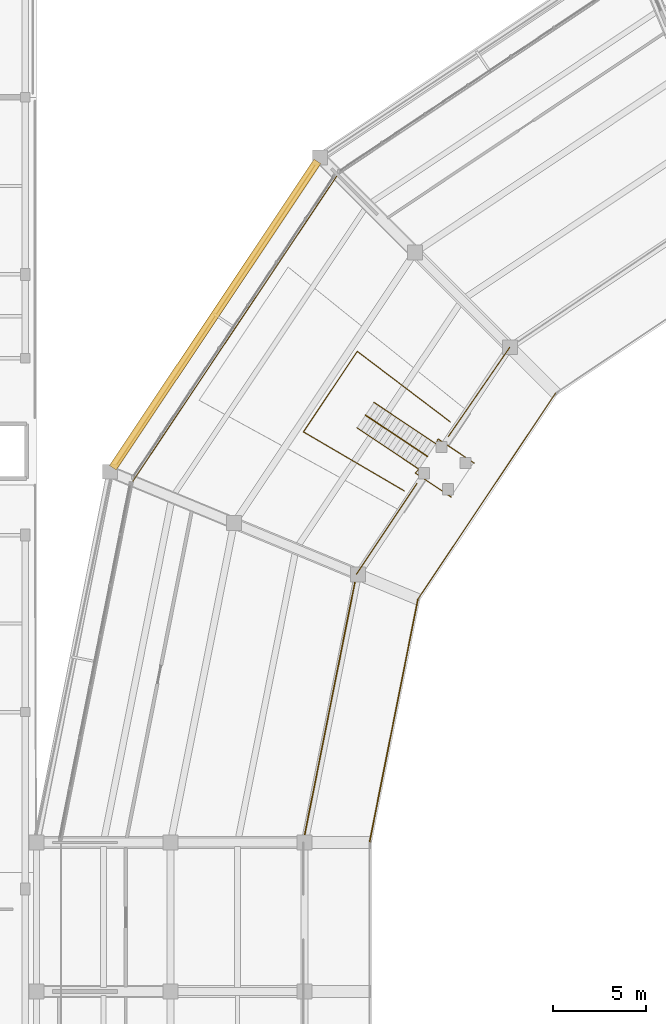
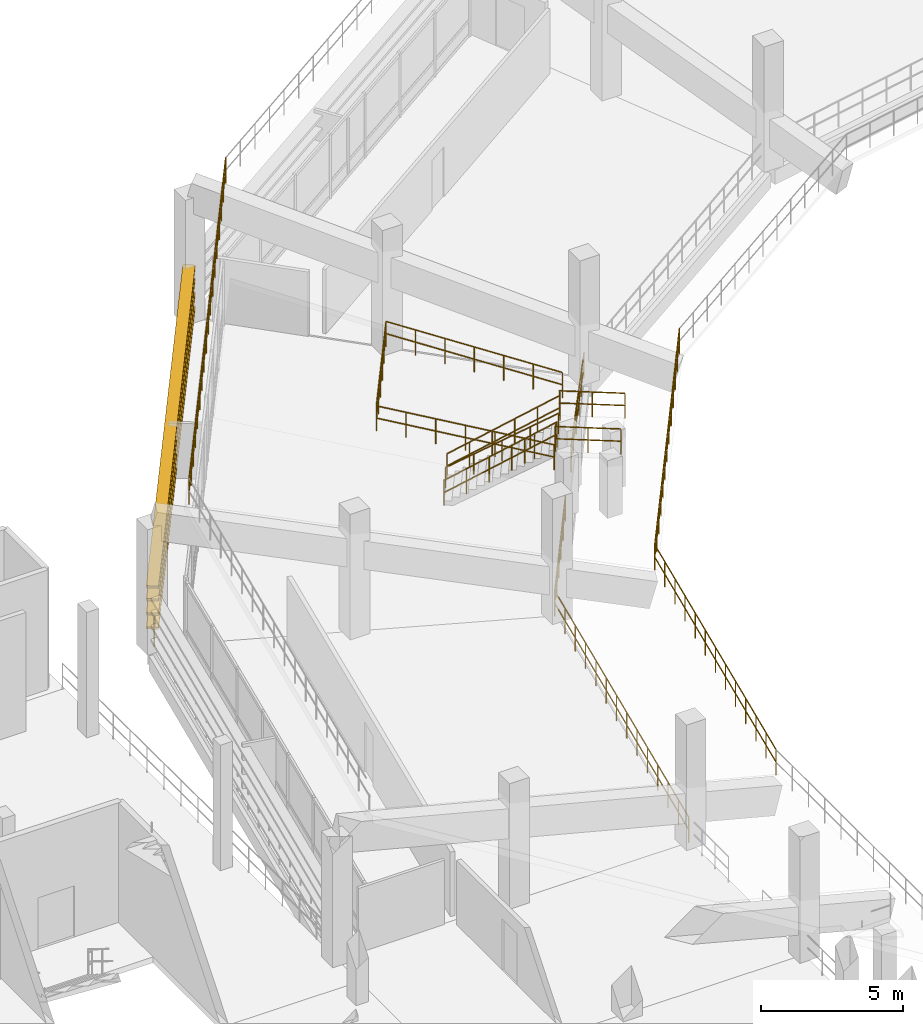
# One storey, part 86 of 96: 11 railings, 4 shading devices.
"""IFC4 building model written with IfcOpenShell, lengths in metres."""

from ifc_helpers import new_model, si_unit, direction, frame, origin, origin_2d, place, context, subcontext, project, spatial, rectangle, circle, extrude, material, layer, layer_set, type_object, element, save


model = new_model("IFC4")

# Units and contexts
model_context = context("Model", 3, precision=1e-05, world=origin(), true_north=direction((0.0, 1.0)))
body_context = subcontext(model_context, "Body", "Model", "MODEL_VIEW")
ifc_project = project(units=[si_unit("LENGTHUNIT", "METRE"), si_unit("AREAUNIT", "SQUARE_METRE"), si_unit("VOLUMEUNIT", "CUBIC_METRE"), si_unit("PLANEANGLEUNIT", "RADIAN"), si_unit("MASSUNIT", "GRAM", prefix="KILO")], contexts=[model_context])

# Site, building, storey
site_placement = place(None, origin())
site = spatial("IfcSite", under=ifc_project, at=site_placement, CompositionType="ELEMENT")
building_placement = place(site_placement, origin())
building = spatial("IfcBuilding", under=site, at=building_placement, Name="Candeia Ridge Stadium", CompositionType="ELEMENT")
storey_placement = place(building_placement, frame((0.0, 0.0, 21.60009765625)))
storey = spatial("IfcBuildingStorey", under=building, at=storey_placement, Name="L04", CompositionType="ELEMENT", Elevation=21.60009765625)

# Railings
ifc_material_1 = material(Name="Galvanized Powder-Coated Steel", Category="steel")
ifc_layer_1 = layer(ifc_material_1, 0.074951171875, Name="Galvanized Powder-Coated Steel", Category="steel")
ifc_layer_set_1 = layer_set([ifc_layer_1], Name="Galvanized Powder-Coated Steel")
railing_type_1 = type_object("IfcRailingType", Name="Spectator Bowl Front Guardrail 1120", PredefinedType="GUARDRAIL", material=ifc_layer_set_1)
railing_1_placement = place(storey_placement, frame((46.87353515625, 119.12646484375, 1.64990234375)))
element("IfcRailing", 1, at=railing_1_placement, inside=storey, type_object=railing_type_1, Name="Stand T3 front safety guardrail bay 10", PredefinedType="GUARDRAIL", context=body_context, shape_type="SweptSolid", body=[
    extrude(circle(Radius=0.02392578125, at=origin_2d()), frame((0.0, 0.0, 1.09619140625), z_axis=(-0.555567450865, -0.831471471272, 0.0), x_axis=(0.831471471272, -0.555567450865, 0.0)), (0.0, 0.0, 1.0), 13.31298828125),
    extrude(circle(Radius=0.02392578125, at=origin_2d()), frame((0.0, 0.0, 0.56005859375), z_axis=(-0.555567450865, -0.831471471272, 0.0), x_axis=(0.831471471272, -0.555567450865, 0.0)), (0.0, 0.0, 1.0), 13.31298828125),
    extrude(circle(Radius=0.02099609375, at=origin_2d()), origin(), (0.0, 0.0, 1.0), 1.072021484375),
    extrude(circle(Radius=0.02099609375, at=origin_2d()), frame((-0.616455078125, -0.92236328125, 0.0)), (0.0, 0.0, 1.0), 1.072021484375),
    extrude(circle(Radius=0.02099609375, at=origin_2d()), frame((-1.232666015625, -1.844970703125, 0.0)), (0.0, 0.0, 1.0), 1.072021484375),
    extrude(circle(Radius=0.02099609375, at=origin_2d()), frame((-1.84912109375, -2.767333984375, 0.0)), (0.0, 0.0, 1.0), 1.072021484375),
    extrude(circle(Radius=0.02099609375, at=origin_2d()), frame((-2.46533203125, -3.689697265625, 0.0)), (0.0, 0.0, 1.0), 1.072021484375),
    extrude(circle(Radius=0.02099609375, at=origin_2d()), frame((-3.081787109375, -4.6123046875, 0.0)), (0.0, 0.0, 1.0), 1.072021484375),
    extrude(circle(Radius=0.02099609375, at=origin_2d()), frame((-3.6982421875, -5.53466796875, 0.0)), (0.0, 0.0, 1.0), 1.072021484375),
    extrude(circle(Radius=0.02099609375, at=origin_2d()), frame((-4.314453125, -6.45703125, 0.0)), (0.0, 0.0, 1.0), 1.072021484375),
    extrude(circle(Radius=0.02099609375, at=origin_2d()), frame((-4.930908203125, -7.379638671875, 0.0)), (0.0, 0.0, 1.0), 1.072021484375),
    extrude(circle(Radius=0.02099609375, at=origin_2d()), frame((-5.547119140625, -8.302001953125, 0.0)), (0.0, 0.0, 1.0), 1.072021484375),
    extrude(circle(Radius=0.02099609375, at=origin_2d()), frame((-6.16357421875, -9.224365234375, 0.0)), (0.0, 0.0, 1.0), 1.072021484375),
    extrude(circle(Radius=0.02099609375, at=origin_2d()), frame((-6.77978515625, -10.14697265625, 0.0)), (0.0, 0.0, 1.0), 1.072021484375),
    extrude(circle(Radius=0.02099609375, at=origin_2d()), frame((-7.396240234375, -11.0693359375, 0.0)), (0.0, 0.0, 1.0), 1.072021484375),
])
railing_2_placement = place(storey_placement, frame((35.163818359375, 130.836181640625, 6.0)))
element("IfcRailing", 2, at=railing_2_placement, inside=storey, type_object=railing_type_1, Name="Stand T3 rear safety guardrail bay 10", PredefinedType="GUARDRAIL", context=body_context, shape_type="SweptSolid", body=[
    extrude(circle(Radius=0.02392578125, at=origin_2d()), frame((0.0, 0.0, 1.09619140625), z_axis=(-0.555568879725, -0.831470516544, 0.0), x_axis=(0.831470516544, -0.555568879725, 0.0)), (0.0, 0.0, 1.0), 19.7744140625),
    extrude(circle(Radius=0.02392578125, at=origin_2d()), frame((0.0, 0.0, 0.56005859375), z_axis=(-0.555568879725, -0.831470516544, 0.0), x_axis=(0.831470516544, -0.555568879725, 0.0)), (0.0, 0.0, 1.0), 19.7744140625),
    extrude(circle(Radius=0.02099609375, at=origin_2d()), origin(), (0.0, 0.0, 1.0), 1.072021484375),
    extrude(circle(Radius=0.02099609375, at=origin_2d()), frame((-0.646240234375, -0.96728515625, 0.0)), (0.0, 0.0, 1.0), 1.072021484375),
    extrude(circle(Radius=0.02099609375, at=origin_2d()), frame((-1.29248046875, -1.934326171875, 0.0)), (0.0, 0.0, 1.0), 1.072021484375),
    extrude(circle(Radius=0.02099609375, at=origin_2d()), frame((-1.938720703125, -2.901611328125, 0.0)), (0.0, 0.0, 1.0), 1.072021484375),
    extrude(circle(Radius=0.02099609375, at=origin_2d()), frame((-2.5849609375, -3.86865234375, 0.0)), (0.0, 0.0, 1.0), 1.072021484375),
    extrude(circle(Radius=0.02099609375, at=origin_2d()), frame((-3.231201171875, -4.8359375, 0.0)), (0.0, 0.0, 1.0), 1.072021484375),
    extrude(circle(Radius=0.02099609375, at=origin_2d()), frame((-3.87744140625, -5.802978515625, 0.0)), (0.0, 0.0, 1.0), 1.072021484375),
    extrude(circle(Radius=0.02099609375, at=origin_2d()), frame((-4.523681640625, -6.770263671875, 0.0)), (0.0, 0.0, 1.0), 1.072021484375),
    extrude(circle(Radius=0.02099609375, at=origin_2d()), frame((-5.169921875, -7.7373046875, 0.0)), (0.0, 0.0, 1.0), 1.072021484375),
    extrude(circle(Radius=0.02099609375, at=origin_2d()), frame((-5.816162109375, -8.70458984375, 0.0)), (0.0, 0.0, 1.0), 1.072021484375),
    extrude(circle(Radius=0.02099609375, at=origin_2d()), frame((-6.46240234375, -9.671630859375, 0.0)), (0.0, 0.0, 1.0), 1.072021484375),
    extrude(circle(Radius=0.02099609375, at=origin_2d()), frame((-7.108642578125, -10.638916015625, 0.0)), (0.0, 0.0, 1.0), 1.072021484375),
    extrude(circle(Radius=0.02099609375, at=origin_2d()), frame((-7.7548828125, -11.60595703125, 0.0)), (0.0, 0.0, 1.0), 1.072021484375),
    extrude(circle(Radius=0.02099609375, at=origin_2d()), frame((-8.401123046875, -12.5732421875, 0.0)), (0.0, 0.0, 1.0), 1.072021484375),
    extrude(circle(Radius=0.02099609375, at=origin_2d()), frame((-9.04736328125, -13.540283203125, 0.0)), (0.0, 0.0, 1.0), 1.072021484375),
    extrude(circle(Radius=0.02099609375, at=origin_2d()), frame((-9.693603515625, -14.507568359375, 0.0)), (0.0, 0.0, 1.0), 1.072021484375),
    extrude(circle(Radius=0.02099609375, at=origin_2d()), frame((-10.33984375, -15.474609375, 0.0)), (0.0, 0.0, 1.0), 1.072021484375),
    extrude(circle(Radius=0.02099609375, at=origin_2d()), frame((-10.986083984375, -16.44189453125, 0.0)), (0.0, 0.0, 1.0), 1.072021484375),
])
railing_3_placement = place(storey_placement, frame((39.477294921875, 108.05712890625, 1.64990234375)))
element("IfcRailing", 3, at=railing_3_placement, inside=storey, type_object=railing_type_1, Name="Stand T3 front safety guardrail bay 11", PredefinedType="GUARDRAIL", context=body_context, shape_type="SweptSolid", body=[
    extrude(circle(Radius=0.02392578125, at=origin_2d()), frame((0.0, 0.0, 1.09619140625), z_axis=(-0.195103883511, -0.980782582757, 0.0), x_axis=(0.980782582757, -0.195103883511, 0.0)), (0.0, 0.0, 1.0), 13.31298828125),
    extrude(circle(Radius=0.02392578125, at=origin_2d()), frame((0.0, 0.0, 0.56005859375), z_axis=(-0.195103883511, -0.980782582757, 0.0), x_axis=(0.980782582757, -0.195103883511, 0.0)), (0.0, 0.0, 1.0), 13.31298828125),
    extrude(circle(Radius=0.02099609375, at=origin_2d()), origin(), (0.0, 0.0, 1.0), 1.072021484375),
    extrude(circle(Radius=0.02099609375, at=origin_2d()), frame((-0.216552734375, -1.088134765625, 0.0)), (0.0, 0.0, 1.0), 1.072021484375),
    extrude(circle(Radius=0.02099609375, at=origin_2d()), frame((-0.432861328125, -2.17626953125, 0.0)), (0.0, 0.0, 1.0), 1.072021484375),
    extrude(circle(Radius=0.02099609375, at=origin_2d()), frame((-0.6494140625, -3.26416015625, 0.0)), (0.0, 0.0, 1.0), 1.072021484375),
    extrude(circle(Radius=0.02099609375, at=origin_2d()), frame((-0.86572265625, -4.352294921875, 0.0)), (0.0, 0.0, 1.0), 1.072021484375),
    extrude(circle(Radius=0.02099609375, at=origin_2d()), frame((-1.082275390625, -5.4404296875, 0.0)), (0.0, 0.0, 1.0), 1.072021484375),
    extrude(circle(Radius=0.02099609375, at=origin_2d()), frame((-1.298828125, -6.528564453125, 0.0)), (0.0, 0.0, 1.0), 1.072021484375),
    extrude(circle(Radius=0.02099609375, at=origin_2d()), frame((-1.51513671875, -7.61669921875, 0.0)), (0.0, 0.0, 1.0), 1.072021484375),
    extrude(circle(Radius=0.02099609375, at=origin_2d()), frame((-1.731689453125, -8.704833984375, 0.0)), (0.0, 0.0, 1.0), 1.072021484375),
    extrude(circle(Radius=0.02099609375, at=origin_2d()), frame((-1.947998046875, -9.79296875, 0.0)), (0.0, 0.0, 1.0), 1.072021484375),
    extrude(circle(Radius=0.02099609375, at=origin_2d()), frame((-2.16455078125, -10.880859375, 0.0)), (0.0, 0.0, 1.0), 1.072021484375),
    extrude(circle(Radius=0.02099609375, at=origin_2d()), frame((-2.380859375, -11.968994140625, 0.0)), (0.0, 0.0, 1.0), 1.072021484375),
    extrude(circle(Radius=0.02099609375, at=origin_2d()), frame((-2.597412109375, -13.05712890625, 0.0)), (0.0, 0.0, 1.0), 1.072021484375),
])
railing_4_placement = place(storey_placement, frame((23.02490234375, 114.85498046875, 0.0)))
element("IfcRailing", 4, at=railing_4_placement, inside=storey, type_object=railing_type_1, Name="Deck edge safety guardrail GR-DE-L04-0190", PredefinedType="GUARDRAIL", context=body_context, shape_type="SweptSolid", body=[
    extrude(circle(Radius=0.02392578125, at=origin_2d()), frame((0.0, 0.0, 1.09619140625), z_axis=(0.552282039589, 0.83365733293, 0.0), x_axis=(-0.83365733293, 0.552282039589, 0.0)), (0.0, 0.0, 1.0), 20.28955078125),
    extrude(circle(Radius=0.02392578125, at=origin_2d()), frame((0.0, 0.0, 0.56005859375), z_axis=(0.552282039589, 0.83365733293, 0.0), x_axis=(-0.83365733293, 0.552282039589, 0.0)), (0.0, 0.0, 1.0), 20.28955078125),
    extrude(circle(Radius=0.02099609375, at=origin_2d()), origin(), (0.0, 0.0, 1.0), 1.072021484375),
    extrude(circle(Radius=0.02099609375, at=origin_2d()), frame((0.6591796875, 0.994873046875, 0.0)), (0.0, 0.0, 1.0), 1.072021484375),
    extrude(circle(Radius=0.02099609375, at=origin_2d()), frame((1.318359375, 1.989990234375, 0.0)), (0.0, 0.0, 1.0), 1.072021484375),
    extrude(circle(Radius=0.02099609375, at=origin_2d()), frame((1.9775390625, 2.98486328125, 0.0)), (0.0, 0.0, 1.0), 1.072021484375),
    extrude(circle(Radius=0.02099609375, at=origin_2d()), frame((2.63671875, 3.97998046875, 0.0)), (0.0, 0.0, 1.0), 1.072021484375),
    extrude(circle(Radius=0.02099609375, at=origin_2d()), frame((3.295654296875, 4.974853515625, 0.0)), (0.0, 0.0, 1.0), 1.072021484375),
    extrude(circle(Radius=0.02099609375, at=origin_2d()), frame((3.954833984375, 5.9697265625, 0.0)), (0.0, 0.0, 1.0), 1.072021484375),
    extrude(circle(Radius=0.02099609375, at=origin_2d()), frame((4.614013671875, 6.96484375, 0.0)), (0.0, 0.0, 1.0), 1.072021484375),
    extrude(circle(Radius=0.02099609375, at=origin_2d()), frame((5.273193359375, 7.959716796875, 0.0)), (0.0, 0.0, 1.0), 1.072021484375),
    extrude(circle(Radius=0.02099609375, at=origin_2d()), frame((5.932373046875, 8.954833984375, 0.0)), (0.0, 0.0, 1.0), 1.072021484375),
    extrude(circle(Radius=0.02099609375, at=origin_2d()), frame((6.591552734375, 9.94970703125, 0.0)), (0.0, 0.0, 1.0), 1.072021484375),
    extrude(circle(Radius=0.02099609375, at=origin_2d()), frame((7.250732421875, 10.94482421875, 0.0)), (0.0, 0.0, 1.0), 1.072021484375),
    extrude(circle(Radius=0.02099609375, at=origin_2d()), frame((7.909912109375, 11.939697265625, 0.0)), (0.0, 0.0, 1.0), 1.072021484375),
    extrude(circle(Radius=0.02099609375, at=origin_2d()), frame((8.56884765625, 12.9345703125, 0.0)), (0.0, 0.0, 1.0), 1.072021484375),
    extrude(circle(Radius=0.02099609375, at=origin_2d()), frame((9.22802734375, 13.9296875, 0.0)), (0.0, 0.0, 1.0), 1.072021484375),
    extrude(circle(Radius=0.02099609375, at=origin_2d()), frame((9.88720703125, 14.924560546875, 0.0)), (0.0, 0.0, 1.0), 1.072021484375),
    extrude(circle(Radius=0.02099609375, at=origin_2d()), frame((10.54638671875, 15.919677734375, 0.0)), (0.0, 0.0, 1.0), 1.072021484375),
    extrude(circle(Radius=0.02099609375, at=origin_2d()), frame((11.20556640625, 16.91455078125, 0.0)), (0.0, 0.0, 1.0), 1.072021484375),
])
railing_5_placement = place(storey_placement, frame((44.412841796875, 121.587158203125, 0.0)))
element("IfcRailing", 5, at=railing_5_placement, inside=storey, type_object=railing_type_1, Name="Deck edge safety guardrail GR-DE-L04-0237", PredefinedType="GUARDRAIL", context=body_context, shape_type="SweptSolid", body=[
    extrude(circle(Radius=0.02392578125, at=origin_2d()), frame((0.0, 0.0, 1.09619140625), z_axis=(-0.566961668899, -0.823744175093, 0.0), x_axis=(0.823744175093, -0.566961668899, 0.0)), (0.0, 0.0, 1.0), 5.81591796875),
    extrude(circle(Radius=0.02392578125, at=origin_2d()), frame((0.0, 0.0, 0.56005859375), z_axis=(-0.566961668899, -0.823744175093, 0.0), x_axis=(0.823744175093, -0.566961668899, 0.0)), (0.0, 0.0, 1.0), 5.81591796875),
    extrude(circle(Radius=0.02099609375, at=origin_2d()), origin(), (0.0, 0.0, 1.0), 1.072021484375),
    extrude(circle(Radius=0.02099609375, at=origin_2d()), frame((-0.659423828125, -0.958251953125, 0.0)), (0.0, 0.0, 1.0), 1.072021484375),
    extrude(circle(Radius=0.02099609375, at=origin_2d()), frame((-1.31884765625, -1.916259765625, 0.0)), (0.0, 0.0, 1.0), 1.072021484375),
    extrude(circle(Radius=0.02099609375, at=origin_2d()), frame((-1.978515625, -2.87451171875, 0.0)), (0.0, 0.0, 1.0), 1.072021484375),
    extrude(circle(Radius=0.02099609375, at=origin_2d()), frame((-2.637939453125, -3.83251953125, 0.0)), (0.0, 0.0, 1.0), 1.072021484375),
    extrude(circle(Radius=0.02099609375, at=origin_2d()), frame((-3.29736328125, -4.790771484375, 0.0)), (0.0, 0.0, 1.0), 1.072021484375),
])
railing_6_placement = place(storey_placement, frame((39.426513671875, 114.268798828125, 0.0)))
element("IfcRailing", 6, at=railing_6_placement, inside=storey, type_object=railing_type_1, Name="Deck edge safety guardrail GR-DE-L04-0238", PredefinedType="GUARDRAIL", context=body_context, shape_type="SweptSolid", body=[
    extrude(circle(Radius=0.02392578125, at=origin_2d()), frame((0.0, 0.0, 1.09619140625), z_axis=(-0.554709833315, -0.832043869531, 0.0), x_axis=(0.832043869531, -0.554709833315, 0.0)), (0.0, 0.0, 1.0), 5.84619140625),
    extrude(circle(Radius=0.02392578125, at=origin_2d()), frame((0.0, 0.0, 0.56005859375), z_axis=(-0.554709833315, -0.832043869531, 0.0), x_axis=(0.832043869531, -0.554709833315, 0.0)), (0.0, 0.0, 1.0), 5.84619140625),
    extrude(circle(Radius=0.02099609375, at=origin_2d()), origin(), (0.0, 0.0, 1.0), 1.072021484375),
    extrude(circle(Radius=0.02099609375, at=origin_2d()), frame((-0.648681640625, -0.972900390625, 0.0)), (0.0, 0.0, 1.0), 1.072021484375),
    extrude(circle(Radius=0.02099609375, at=origin_2d()), frame((-1.297119140625, -1.94580078125, 0.0)), (0.0, 0.0, 1.0), 1.072021484375),
    extrude(circle(Radius=0.02099609375, at=origin_2d()), frame((-1.94580078125, -2.91845703125, 0.0)), (0.0, 0.0, 1.0), 1.072021484375),
    extrude(circle(Radius=0.02099609375, at=origin_2d()), frame((-2.59423828125, -3.891357421875, 0.0)), (0.0, 0.0, 1.0), 1.072021484375),
    extrude(circle(Radius=0.02099609375, at=origin_2d()), frame((-3.242919921875, -4.8642578125, 0.0)), (0.0, 0.0, 1.0), 1.072021484375),
])
railing_7_placement = place(storey_placement, frame((36.18359375, 109.404541015625, 0.0)))
element("IfcRailing", 7, at=railing_7_placement, inside=storey, type_object=railing_type_1, Name="Deck edge safety guardrail GR-DE-L04-0239", PredefinedType="GUARDRAIL", context=body_context, shape_type="SweptSolid", body=[
    extrude(circle(Radius=0.02392578125, at=origin_2d()), frame((0.0, 0.0, 1.09619140625), z_axis=(-0.194977927437, -0.98080763038, 0.0), x_axis=(0.98080763038, -0.194977927437, 0.0)), (0.0, 0.0, 1.0), 14.6865234375),
    extrude(circle(Radius=0.02392578125, at=origin_2d()), frame((0.0, 0.0, 0.56005859375), z_axis=(-0.194977927437, -0.98080763038, 0.0), x_axis=(0.98080763038, -0.194977927437, 0.0)), (0.0, 0.0, 1.0), 14.6865234375),
    extrude(circle(Radius=0.02099609375, at=origin_2d()), origin(), (0.0, 0.0, 1.0), 1.072021484375),
    extrude(circle(Radius=0.02099609375, at=origin_2d()), frame((-0.22021484375, -1.108154296875, 0.0)), (0.0, 0.0, 1.0), 1.072021484375),
    extrude(circle(Radius=0.02099609375, at=origin_2d()), frame((-0.4404296875, -2.216064453125, 0.0)), (0.0, 0.0, 1.0), 1.072021484375),
    extrude(circle(Radius=0.02099609375, at=origin_2d()), frame((-0.660888671875, -3.32421875, 0.0)), (0.0, 0.0, 1.0), 1.072021484375),
    extrude(circle(Radius=0.02099609375, at=origin_2d()), frame((-0.881103515625, -4.43212890625, 0.0)), (0.0, 0.0, 1.0), 1.072021484375),
    extrude(circle(Radius=0.02099609375, at=origin_2d()), frame((-1.101318359375, -5.540283203125, 0.0)), (0.0, 0.0, 1.0), 1.072021484375),
    extrude(circle(Radius=0.02099609375, at=origin_2d()), frame((-1.321533203125, -6.648193359375, 0.0)), (0.0, 0.0, 1.0), 1.072021484375),
    extrude(circle(Radius=0.02099609375, at=origin_2d()), frame((-1.5419921875, -7.75634765625, 0.0)), (0.0, 0.0, 1.0), 1.072021484375),
    extrude(circle(Radius=0.02099609375, at=origin_2d()), frame((-1.76220703125, -8.8642578125, 0.0)), (0.0, 0.0, 1.0), 1.072021484375),
    extrude(circle(Radius=0.02099609375, at=origin_2d()), frame((-1.982421875, -9.972412109375, 0.0)), (0.0, 0.0, 1.0), 1.072021484375),
    extrude(circle(Radius=0.02099609375, at=origin_2d()), frame((-2.20263671875, -11.080322265625, 0.0)), (0.0, 0.0, 1.0), 1.072021484375),
    extrude(circle(Radius=0.02099609375, at=origin_2d()), frame((-2.423095703125, -12.1884765625, 0.0)), (0.0, 0.0, 1.0), 1.072021484375),
    extrude(circle(Radius=0.02099609375, at=origin_2d()), frame((-2.643310546875, -13.29638671875, 0.0)), (0.0, 0.0, 1.0), 1.072021484375),
    extrude(circle(Radius=0.02099609375, at=origin_2d()), frame((-2.863525390625, -14.404541015625, 0.0)), (0.0, 0.0, 1.0), 1.072021484375),
])
ifc_material_2 = material(Name="Brushed Stainless Steel", Category="steel")
ifc_layer_2 = layer(ifc_material_2, 0.048095703125, Name="Brushed Stainless Steel", Category="steel")
ifc_layer_set_2 = layer_set([ifc_layer_2], Name="Brushed Stainless Steel")
railing_type_2 = type_object("IfcRailingType", Name="Stair Wall & Flight Handrail 900", PredefinedType="HANDRAIL", material=ifc_layer_set_2)
railing_8_placement = place(storey_placement, frame((36.66748046875, 117.940185546875, 0.179443359375)))
element("IfcRailing", 8, at=railing_8_placement, inside=storey, type_object=railing_type_2, Name="Vomitory stair handrail VS28", PredefinedType="HANDRAIL", context=body_context, shape_type="SweptSolid", body=[
    extrude(circle(Radius=0.02392578125, at=origin_2d()), frame((0.0, 0.0, 0.8759765625), z_axis=(0.703445127651, -0.470033244468, 0.533135725195), x_axis=(0.555575329819, 0.831466206708, 0.0)), (0.0, 0.0, 1.0), 4.71630859375),
    extrude(circle(Radius=0.02099609375, at=origin_2d()), origin(), (0.0, 0.0, 1.0), 0.851806640625),
    extrude(circle(Radius=0.02099609375, at=origin_2d()), frame((0.829345703125, -0.55419921875, 0.628662109375)), (0.0, 0.0, 1.0), 0.851806640625),
    extrude(circle(Radius=0.02099609375, at=origin_2d()), frame((1.65869140625, -1.1083984375, 1.25732421875)), (0.0, 0.0, 1.0), 0.851806640625),
    extrude(circle(Radius=0.02099609375, at=origin_2d()), frame((2.48828125, -1.66259765625, 1.8857421875)), (0.0, 0.0, 1.0), 0.851806640625),
    extrude(circle(Radius=0.02099609375, at=origin_2d()), frame((3.317626953125, -2.216796875, 2.514404296875)), (0.0, 0.0, 1.0), 0.851806640625),
])
ifc_layer_3 = layer(ifc_material_1, 0.070068359375, Name="Galvanized Powder-Coated Steel", Category="steel")
ifc_layer_set_3 = layer_set([ifc_layer_3], Name="Galvanized Powder-Coated Steel")
railing_type_3 = type_object("IfcRailingType", Name="Vomitory Portal Guardrail 1100", PredefinedType="GUARDRAIL", material=ifc_layer_set_3)
railing_9_placement = place(storey_placement, frame((41.2216796875, 117.57421875, 2.69384765625)))
element("IfcRailing", 9, at=railing_9_placement, inside=storey, type_object=railing_type_3, Name="Vomitory portal guardrail VS28", PredefinedType="GUARDRAIL", context=body_context, shape_type="SweptSolid", body=[
    extrude(circle(Radius=0.02392578125, at=origin_2d()), frame((0.0, 0.0, 1.076171875), z_axis=(-0.77057067272, 0.584185386181, 0.25484951033), x_axis=(-0.604133432707, -0.796883175557, 0.0)), (0.0, 0.0, 1.0), 6.486572265625),
    extrude(circle(Radius=0.02392578125, at=origin_2d()), frame((0.0, 0.0, 0.550048828125), z_axis=(-0.77057067272, 0.584185386181, 0.25484951033), x_axis=(-0.604133432707, -0.796883175557, 0.0)), (0.0, 0.0, 1.0), 6.486572265625),
    extrude(circle(Radius=0.02392578125, at=origin_2d()), frame((-4.998291015625, 3.789306640625, 2.72900390625), z_axis=(-0.555588439996, -0.831457446502, 0.0), x_axis=(0.831457446502, -0.555588439996, 0.0)), (0.0, 0.0, 1.0), 5.19921875),
    extrude(circle(Radius=0.02392578125, at=origin_2d()), frame((-4.998291015625, 3.789306640625, 2.203125), z_axis=(-0.555588439996, -0.831457446502, 0.0), x_axis=(0.831457446502, -0.555588439996, 0.0)), (0.0, 0.0, 1.0), 5.19921875),
    extrude(circle(Radius=0.02392578125, at=origin_2d()), frame((-7.886962890625, -0.53369140625, 2.72900390625), z_axis=(0.834609876077, -0.488345575743, -0.254842997561), x_axis=(0.505020105464, 0.863107579087, 0.0)), (0.0, 0.0, 1.0), 6.486572265625),
    extrude(circle(Radius=0.02392578125, at=origin_2d()), frame((-7.886962890625, -0.53369140625, 2.203125), z_axis=(0.834609876077, -0.488345575743, -0.254842997561), x_axis=(0.505020105464, 0.863107579087, 0.0)), (0.0, 0.0, 1.0), 6.486572265625),
    extrude(circle(Radius=0.02099609375, at=origin_2d()), origin(), (0.0, 0.0, 1.0), 1.052001953125),
    extrude(circle(Radius=0.02099609375, at=origin_2d()), frame((-0.8330078125, 0.631591796875, 0.275390625)), (0.0, 0.0, 1.0), 1.052001953125),
    extrude(circle(Radius=0.02099609375, at=origin_2d()), frame((-1.666015625, 1.26318359375, 0.551025390625)), (0.0, 0.0, 1.0), 1.052001953125),
    extrude(circle(Radius=0.02099609375, at=origin_2d()), frame((-2.4990234375, 1.89453125, 0.82666015625)), (0.0, 0.0, 1.0), 1.052001953125),
    extrude(circle(Radius=0.02099609375, at=origin_2d()), frame((-3.332275390625, 2.526123046875, 1.10205078125)), (0.0, 0.0, 1.0), 1.052001953125),
    extrude(circle(Radius=0.02099609375, at=origin_2d()), frame((-4.165283203125, 3.15771484375, 1.37744140625)), (0.0, 0.0, 1.0), 1.052001953125),
    extrude(circle(Radius=0.02099609375, at=origin_2d()), frame((-4.998291015625, 3.789306640625, 1.653076171875)), (0.0, 0.0, 1.0), 1.052001953125),
    extrude(circle(Radius=0.02099609375, at=origin_2d()), frame((-5.575927734375, 2.9248046875, 1.653076171875)), (0.0, 0.0, 1.0), 1.052001953125),
    extrude(circle(Radius=0.02099609375, at=origin_2d()), frame((-6.15380859375, 2.06005859375, 1.653076171875)), (0.0, 0.0, 1.0), 1.052001953125),
    extrude(circle(Radius=0.02099609375, at=origin_2d()), frame((-6.7314453125, 1.195556640625, 1.653076171875)), (0.0, 0.0, 1.0), 1.052001953125),
    extrude(circle(Radius=0.02099609375, at=origin_2d()), frame((-7.309326171875, 0.330810546875, 1.653076171875)), (0.0, 0.0, 1.0), 1.052001953125),
    extrude(circle(Radius=0.02099609375, at=origin_2d()), frame((-7.886962890625, -0.53369140625, 1.653076171875)), (0.0, 0.0, 1.0), 1.052001953125),
    extrude(circle(Radius=0.02099609375, at=origin_2d()), frame((-6.984619140625, -1.0615234375, 1.37744140625)), (0.0, 0.0, 1.0), 1.052001953125),
    extrude(circle(Radius=0.02099609375, at=origin_2d()), frame((-6.082275390625, -1.589599609375, 1.10205078125)), (0.0, 0.0, 1.0), 1.052001953125),
    extrude(circle(Radius=0.02099609375, at=origin_2d()), frame((-5.18017578125, -2.11767578125, 0.82666015625)), (0.0, 0.0, 1.0), 1.052001953125),
    extrude(circle(Radius=0.02099609375, at=origin_2d()), frame((-4.27783203125, -2.6455078125, 0.551025390625)), (0.0, 0.0, 1.0), 1.052001953125),
    extrude(circle(Radius=0.02099609375, at=origin_2d()), frame((-3.37548828125, -3.17333984375, 0.275390625)), (0.0, 0.0, 1.0), 1.052001953125),
    extrude(circle(Radius=0.02099609375, at=origin_2d()), frame((-2.47314453125, -3.701416015625, 0.0)), (0.0, 0.0, 1.0), 1.052001953125),
])
railing_10_placement = place(storey_placement, frame((37.123291015625, 118.6220703125, 0.0)))
element("IfcRailing", 10, at=railing_10_placement, inside=storey, type_object=railing_type_3, Name="Vomitory stair & landing side guardrail VS28-L", PredefinedType="GUARDRAIL", context=body_context, shape_type="SweptSolid", body=[
    extrude(circle(Radius=0.02392578125, at=origin_2d()), frame((0.0, 0.0, 1.076171875), z_axis=(0.689090156968, -0.460475318315, 0.559568795406), x_axis=(0.555603595654, 0.831447319135, 0.0)), (0.0, 0.0, 1.0), 4.814208984375),
    extrude(circle(Radius=0.02392578125, at=origin_2d()), frame((0.0, 0.0, 0.550048828125), z_axis=(0.689090156968, -0.460475318315, 0.559568795406), x_axis=(0.555603595654, 0.831447319135, 0.0)), (0.0, 0.0, 1.0), 4.814208984375),
    extrude(circle(Radius=0.02392578125, at=origin_2d()), frame((3.3173828125, -2.216796875, 3.77001953125), z_axis=(0.432310233057, 0.901724937214, 0.0), x_axis=(-0.901724937214, 0.432310233057, 0.0)), (0.0, 0.0, 1.0), 0.282958984375),
    extrude(circle(Radius=0.02392578125, at=origin_2d()), frame((3.3173828125, -2.216796875, 3.243896484375), z_axis=(0.432310233057, 0.901724937214, 0.0), x_axis=(-0.901724937214, 0.432310233057, 0.0)), (0.0, 0.0, 1.0), 0.282958984375),
    extrude(circle(Radius=0.02392578125, at=origin_2d()), frame((3.439697265625, -1.961669921875, 3.77001953125), z_axis=(0.831434582705, -0.55562265494, 0.0), x_axis=(0.55562265494, 0.831434582705, 0.0)), (0.0, 0.0, 1.0), 2.320068359375),
    extrude(circle(Radius=0.02392578125, at=origin_2d()), frame((3.439697265625, -1.961669921875, 3.243896484375), z_axis=(0.831434582705, -0.55562265494, 0.0), x_axis=(0.55562265494, 0.831434582705, 0.0)), (0.0, 0.0, 1.0), 2.320068359375),
    extrude(circle(Radius=0.02099609375, at=origin_2d()), origin(), (0.0, 0.0, 1.0), 1.052001953125),
    extrude(circle(Radius=0.02099609375, at=origin_2d()), frame((0.66357421875, -0.443359375, 0.538818359375)), (0.0, 0.0, 1.0), 1.052001953125),
    extrude(circle(Radius=0.02099609375, at=origin_2d()), frame((1.326904296875, -0.88671875, 1.07763671875)), (0.0, 0.0, 1.0), 1.052001953125),
    extrude(circle(Radius=0.02099609375, at=origin_2d()), frame((1.990478515625, -1.330078125, 1.6162109375)), (0.0, 0.0, 1.0), 1.052001953125),
    extrude(circle(Radius=0.02099609375, at=origin_2d()), frame((2.65380859375, -1.7734375, 2.155029296875)), (0.0, 0.0, 1.0), 1.052001953125),
    extrude(circle(Radius=0.02099609375, at=origin_2d()), frame((3.3173828125, -2.216796875, 2.69384765625)), (0.0, 0.0, 1.0), 1.052001953125),
    extrude(circle(Radius=0.02099609375, at=origin_2d()), frame((3.439697265625, -1.961669921875, 2.69384765625)), (0.0, 0.0, 1.0), 1.052001953125),
    extrude(circle(Radius=0.02099609375, at=origin_2d()), frame((4.404296875, -2.606201171875, 2.69384765625)), (0.0, 0.0, 1.0), 1.052001953125),
    extrude(circle(Radius=0.02099609375, at=origin_2d()), frame((5.36865234375, -3.250732421875, 2.69384765625)), (0.0, 0.0, 1.0), 1.052001953125),
])
railing_11_placement = place(storey_placement, frame((36.2119140625, 117.25830078125, 0.0)))
element("IfcRailing", 11, at=railing_11_placement, inside=storey, type_object=railing_type_3, Name="Vomitory stair & landing side guardrail VS28-R", PredefinedType="GUARDRAIL", context=body_context, shape_type="SweptSolid", body=[
    extrude(circle(Radius=0.02392578125, at=origin_2d()), frame((0.0, 0.0, 1.076171875), z_axis=(0.689116787819, -0.46045922683, 0.559549241062), x_axis=(0.555575329819, 0.831466206708, 0.0)), (0.0, 0.0, 1.0), 4.814208984375),
    extrude(circle(Radius=0.02392578125, at=origin_2d()), frame((0.0, 0.0, 0.550048828125), z_axis=(0.689116787819, -0.46045922683, 0.559549241062), x_axis=(0.555575329819, 0.831466206708, 0.0)), (0.0, 0.0, 1.0), 4.814208984375),
    extrude(circle(Radius=0.02392578125, at=origin_2d()), frame((3.317626953125, -2.216796875, 3.77001953125), z_axis=(-0.667627565471, -0.744495422298, 0.0), x_axis=(0.744495422298, -0.667627565471, 0.0)), (0.0, 0.0, 1.0), 0.28271484375),
    extrude(circle(Radius=0.02392578125, at=origin_2d()), frame((3.317626953125, -2.216796875, 3.243896484375), z_axis=(-0.667627565471, -0.744495422298, 0.0), x_axis=(0.744495422298, -0.667627565471, 0.0)), (0.0, 0.0, 1.0), 0.28271484375),
    extrude(circle(Radius=0.02392578125, at=origin_2d()), frame((3.12890625, -2.42724609375, 3.77001953125), z_axis=(0.831434582705, -0.55562265494, 0.0), x_axis=(0.55562265494, 0.831434582705, 0.0)), (0.0, 0.0, 1.0), 2.320068359375),
    extrude(circle(Radius=0.02392578125, at=origin_2d()), frame((3.12890625, -2.42724609375, 3.243896484375), z_axis=(0.831434582705, -0.55562265494, 0.0), x_axis=(0.55562265494, 0.831434582705, 0.0)), (0.0, 0.0, 1.0), 2.320068359375),
    extrude(circle(Radius=0.02099609375, at=origin_2d()), origin(), (0.0, 0.0, 1.0), 1.052001953125),
    extrude(circle(Radius=0.02099609375, at=origin_2d()), frame((0.66357421875, -0.443359375, 0.538818359375)), (0.0, 0.0, 1.0), 1.052001953125),
    extrude(circle(Radius=0.02099609375, at=origin_2d()), frame((1.3271484375, -0.88671875, 1.07763671875)), (0.0, 0.0, 1.0), 1.052001953125),
    extrude(circle(Radius=0.02099609375, at=origin_2d()), frame((1.990478515625, -1.330078125, 1.6162109375)), (0.0, 0.0, 1.0), 1.052001953125),
    extrude(circle(Radius=0.02099609375, at=origin_2d()), frame((2.654052734375, -1.7734375, 2.155029296875)), (0.0, 0.0, 1.0), 1.052001953125),
    extrude(circle(Radius=0.02099609375, at=origin_2d()), frame((3.317626953125, -2.216796875, 2.69384765625)), (0.0, 0.0, 1.0), 1.052001953125),
    extrude(circle(Radius=0.02099609375, at=origin_2d()), frame((3.12890625, -2.42724609375, 2.69384765625)), (0.0, 0.0, 1.0), 1.052001953125),
    extrude(circle(Radius=0.02099609375, at=origin_2d()), frame((4.09326171875, -3.07177734375, 2.69384765625)), (0.0, 0.0, 1.0), 1.052001953125),
    extrude(circle(Radius=0.02099609375, at=origin_2d()), frame((5.057861328125, -3.71630859375, 2.69384765625)), (0.0, 0.0, 1.0), 1.052001953125),
])

# Shading devices
ifc_material_3 = material(Name="Aluminium Anodized Warm Bronze", Category="aluminium")
shading_device_type = type_object("IfcShadingDeviceType", Name="Weathered Bronze Horizontal Solar Rib 440x95", PredefinedType="JALOUSIE", material=ifc_material_3)
for number, where, z_axis, x_axis, name in (
    (12, (28.59423828125, 123.33447265625, 0.5625), (0.0, 0.0, 1.0), (-0.555570211063, -0.831469626973, 0.0), "Weathered bronze horizontal solar rib L04 bay 10-1"),
    (13, (28.59423828125, 123.33447265625, 1.17236328125), (0.0, 0.0, 1.0), (-0.555570211063, -0.831469626973, 0.0), "Weathered bronze horizontal solar rib L04 bay 10-2"),
    (14, (28.59423828125, 123.33447265625, 1.7822265625), (0.0, 0.0, 1.0), (-0.555570211063, -0.831469626973, 0.0), "Weathered bronze horizontal solar rib L04 bay 10-3"),
    (15, (28.59423828125, 123.33447265625, 2.33642578125), (0.0, 0.0, 1.0), (-0.555570211063, -0.831469626973, 0.0), "Weathered bronze horizontal solar rib L04 bay 10-4"),
):
    element("IfcShadingDevice", number, at=place(storey_placement, frame(where, z_axis=z_axis, x_axis=x_axis)), inside=storey, type_object=shading_device_type, Name=name, PredefinedType="JALOUSIE", context=body_context, shape_type="SweptSolid", body=[
        extrude(rectangle(XDim=19.789306640625, YDim=0.43994140625, at=origin_2d()), origin(), (0.0, 0.0, 1.0), 0.094970703125),
    ])

save(model, "model.ifc")
